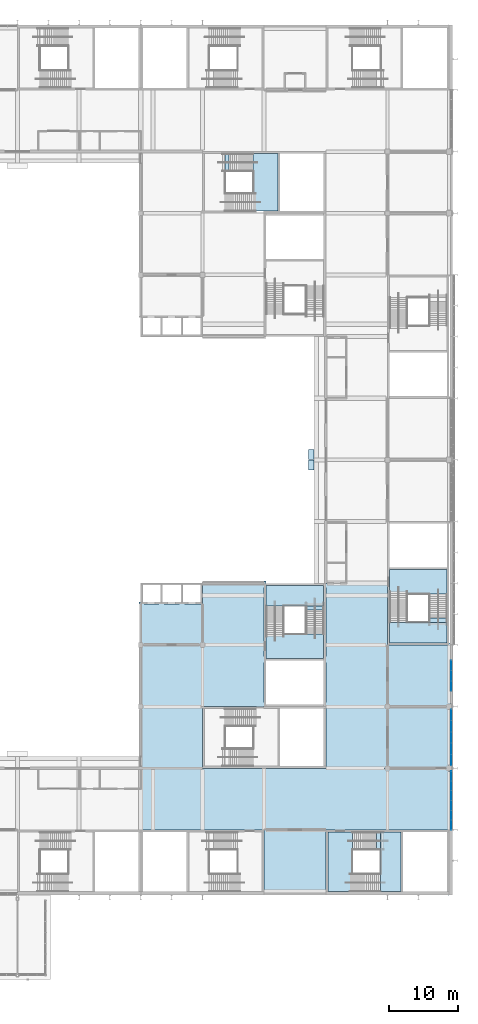
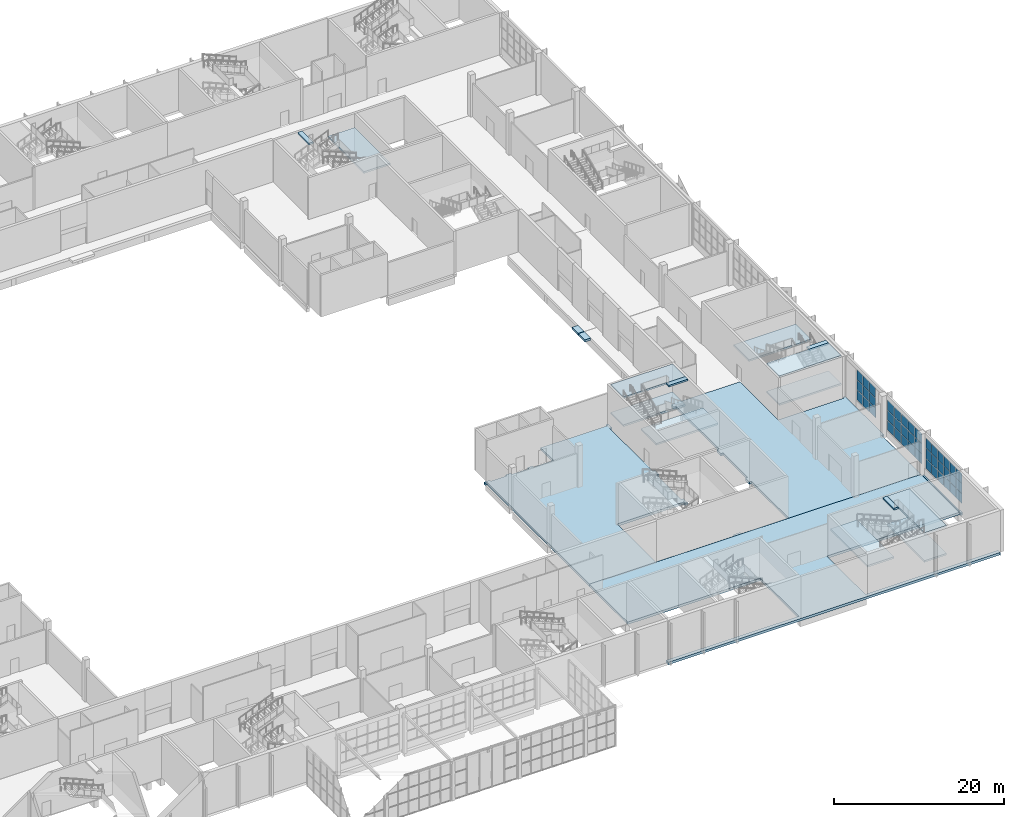
# One storey, part 34 of 89: 42 plates, 18 slabs, 7 elements without a shape of their own.
"""IFC4 building model written with IfcOpenShell, lengths in metres."""

from ifc_helpers import new_model, si_unit, direction, frame, origin, origin_2d, place, context, subcontext, project, spatial, polyline, rectangle, outline, extrude, material, layer, layer_set, type_object, element, aggregate, save


model = new_model("IFC4")

# Units and contexts
model_context = context("Model", 3, precision=1e-05, world=origin(), true_north=direction((0.0, 1.0)))
body_context = subcontext(model_context, "Body", "Model", "MODEL_VIEW")
ifc_project = project(units=[si_unit("LENGTHUNIT", "METRE"), si_unit("AREAUNIT", "SQUARE_METRE"), si_unit("VOLUMEUNIT", "CUBIC_METRE"), si_unit("PLANEANGLEUNIT", "RADIAN"), si_unit("MASSUNIT", "GRAM", prefix="KILO")], contexts=[model_context])

# Site, building, storey
site_placement = place(None, origin())
site = spatial("IfcSite", under=ifc_project, at=site_placement, CompositionType="ELEMENT")
building_placement = place(site_placement, origin())
building = spatial("IfcBuilding", under=site, at=building_placement, Name="Silverbay Arena", CompositionType="ELEMENT")
storey_placement = place(building_placement, frame((0.0, 0.0, 22.0)))
storey = spatial("IfcBuildingStorey", under=building, at=storey_placement, Name="L03", CompositionType="ELEMENT", Elevation=22.0)

# Curtain wall, plates
ifc_material_1 = material(Name="Aluminium framed curtain wall", Category="aluminium")
curtain_wall_type_1 = type_object("IfcCurtainWallType", Name="Curtain wall 8600 x 4400", PredefinedType="NOTDEFINED", material=ifc_material_1)
curtain_wall_1_placement = place(storey_placement, origin())
curtain_wall_1 = element("IfcCurtainWall", 1, at=curtain_wall_1_placement, inside=storey, type_object=curtain_wall_type_1, Name="East curtain wall L03 bay 2", PredefinedType="NOTDEFINED")
ifc_material_2 = material(Name="Laminated glass", Category="glass")
ifc_layer_1 = layer(ifc_material_2, 0.028076171875)
ifc_layer_set_1 = layer_set([ifc_layer_1], Name="Laminated glass")
plate_type = type_object("IfcPlateType", Name="Glass panel 28", PredefinedType="CURTAIN_PANEL", material=ifc_layer_set_1)
plate_1_placement = place(storey_placement, frame((207.330078125, 27.731689453125, 1.050048828125), z_axis=(0.0, 0.0, 1.0), x_axis=(0.0, 1.0, 0.0)))
plate_1 = element("IfcPlate", 2, at=plate_1_placement, type_object=plate_type, Name="CW12 panel 1.1", PredefinedType="CURTAIN_PANEL", context=body_context, shape_type="SweptSolid", body=[
    extrude(rectangle(XDim=1.34326171875, YDim=0.028076171875, at=origin_2d()), origin(), (0.0, 0.0, 1.0), 1.3916015625),
])
plate_2_placement = place(storey_placement, frame((207.330078125, 27.731689453125, 2.49169921875), z_axis=(0.0, 0.0, 1.0), x_axis=(0.0, 1.0, 0.0)))
plate_2 = element("IfcPlate", 3, at=plate_2_placement, type_object=plate_type, Name="CW12 panel 1.2", PredefinedType="CURTAIN_PANEL", context=body_context, shape_type="SweptSolid", body=[
    extrude(rectangle(XDim=1.34326171875, YDim=0.028076171875, at=origin_2d()), origin(), (0.0, 0.0, 1.0), 1.416748046875),
])
plate_3_placement = place(storey_placement, frame((207.330078125, 27.731689453125, 3.958251953125), z_axis=(0.0, 0.0, 1.0), x_axis=(0.0, 1.0, 0.0)))
plate_3 = element("IfcPlate", 4, at=plate_3_placement, type_object=plate_type, Name="CW12 panel 1.3", PredefinedType="CURTAIN_PANEL", context=body_context, shape_type="SweptSolid", body=[
    extrude(rectangle(XDim=1.34326171875, YDim=0.028076171875, at=origin_2d()), origin(), (0.0, 0.0, 1.0), 1.3916015625),
])
plate_4_placement = place(storey_placement, frame((207.330078125, 29.14990234375, 1.050048828125), z_axis=(0.0, 0.0, 1.0), x_axis=(0.0, 1.0, 0.0)))
plate_4 = element("IfcPlate", 5, at=plate_4_placement, type_object=plate_type, Name="CW12 panel 2.1", PredefinedType="CURTAIN_PANEL", context=body_context, shape_type="SweptSolid", body=[
    extrude(rectangle(XDim=1.373291015625, YDim=0.028076171875, at=origin_2d()), origin(), (0.0, 0.0, 1.0), 1.3916015625),
])
plate_5_placement = place(storey_placement, frame((207.330078125, 29.14990234375, 2.49169921875), z_axis=(0.0, 0.0, 1.0), x_axis=(0.0, 1.0, 0.0)))
plate_5 = element("IfcPlate", 6, at=plate_5_placement, type_object=plate_type, Name="CW12 panel 2.2", PredefinedType="CURTAIN_PANEL", context=body_context, shape_type="SweptSolid", body=[
    extrude(rectangle(XDim=1.373291015625, YDim=0.028076171875, at=origin_2d()), origin(), (0.0, 0.0, 1.0), 1.416748046875),
])
plate_6_placement = place(storey_placement, frame((207.330078125, 29.14990234375, 3.958251953125), z_axis=(0.0, 0.0, 1.0), x_axis=(0.0, 1.0, 0.0)))
plate_6 = element("IfcPlate", 7, at=plate_6_placement, type_object=plate_type, Name="CW12 panel 2.3", PredefinedType="CURTAIN_PANEL", context=body_context, shape_type="SweptSolid", body=[
    extrude(rectangle(XDim=1.373291015625, YDim=0.028076171875, at=origin_2d()), origin(), (0.0, 0.0, 1.0), 1.3916015625),
])
plate_7_placement = place(storey_placement, frame((207.330078125, 30.583251953125, 1.050048828125), z_axis=(0.0, 0.0, 1.0), x_axis=(0.0, 1.0, 0.0)))
plate_7 = element("IfcPlate", 8, at=plate_7_placement, type_object=plate_type, Name="CW12 panel 3.1", PredefinedType="CURTAIN_PANEL", context=body_context, shape_type="SweptSolid", body=[
    extrude(rectangle(XDim=1.373291015625, YDim=0.028076171875, at=origin_2d()), origin(), (0.0, 0.0, 1.0), 1.3916015625),
])
plate_8_placement = place(storey_placement, frame((207.330078125, 30.583251953125, 2.49169921875), z_axis=(0.0, 0.0, 1.0), x_axis=(0.0, 1.0, 0.0)))
plate_8 = element("IfcPlate", 9, at=plate_8_placement, type_object=plate_type, Name="CW12 panel 3.2", PredefinedType="CURTAIN_PANEL", context=body_context, shape_type="SweptSolid", body=[
    extrude(rectangle(XDim=1.373291015625, YDim=0.028076171875, at=origin_2d()), origin(), (0.0, 0.0, 1.0), 1.416748046875),
])
plate_9_placement = place(storey_placement, frame((207.330078125, 30.583251953125, 3.958251953125), z_axis=(0.0, 0.0, 1.0), x_axis=(0.0, 1.0, 0.0)))
plate_9 = element("IfcPlate", 10, at=plate_9_placement, type_object=plate_type, Name="CW12 panel 3.3", PredefinedType="CURTAIN_PANEL", context=body_context, shape_type="SweptSolid", body=[
    extrude(rectangle(XDim=1.373291015625, YDim=0.028076171875, at=origin_2d()), origin(), (0.0, 0.0, 1.0), 1.3916015625),
])
plate_10_placement = place(storey_placement, frame((207.330078125, 32.0166015625, 1.050048828125), z_axis=(0.0, 0.0, 1.0), x_axis=(0.0, 1.0, 0.0)))
plate_10 = element("IfcPlate", 11, at=plate_10_placement, type_object=plate_type, Name="CW12 panel 4.1", PredefinedType="CURTAIN_PANEL", context=body_context, shape_type="SweptSolid", body=[
    extrude(rectangle(XDim=1.373291015625, YDim=0.028076171875, at=origin_2d()), origin(), (0.0, 0.0, 1.0), 1.3916015625),
])
plate_11_placement = place(storey_placement, frame((207.330078125, 32.0166015625, 2.49169921875), z_axis=(0.0, 0.0, 1.0), x_axis=(0.0, 1.0, 0.0)))
plate_11 = element("IfcPlate", 12, at=plate_11_placement, type_object=plate_type, Name="CW12 panel 4.2", PredefinedType="CURTAIN_PANEL", context=body_context, shape_type="SweptSolid", body=[
    extrude(rectangle(XDim=1.373291015625, YDim=0.028076171875, at=origin_2d()), origin(), (0.0, 0.0, 1.0), 1.416748046875),
])
plate_12_placement = place(storey_placement, frame((207.330078125, 32.0166015625, 3.958251953125), z_axis=(0.0, 0.0, 1.0), x_axis=(0.0, 1.0, 0.0)))
plate_12 = element("IfcPlate", 13, at=plate_12_placement, type_object=plate_type, Name="CW12 panel 4.3", PredefinedType="CURTAIN_PANEL", context=body_context, shape_type="SweptSolid", body=[
    extrude(rectangle(XDim=1.373291015625, YDim=0.028076171875, at=origin_2d()), origin(), (0.0, 0.0, 1.0), 1.3916015625),
])
plate_13_placement = place(storey_placement, frame((207.330078125, 33.449951171875, 1.050048828125), z_axis=(0.0, 0.0, 1.0), x_axis=(0.0, 1.0, 0.0)))
plate_13 = element("IfcPlate", 14, at=plate_13_placement, type_object=plate_type, Name="CW12 panel 5.1", PredefinedType="CURTAIN_PANEL", context=body_context, shape_type="SweptSolid", body=[
    extrude(rectangle(XDim=1.373291015625, YDim=0.028076171875, at=origin_2d()), origin(), (0.0, 0.0, 1.0), 1.3916015625),
])
plate_14_placement = place(storey_placement, frame((207.330078125, 33.449951171875, 2.49169921875), z_axis=(0.0, 0.0, 1.0), x_axis=(0.0, 1.0, 0.0)))
plate_14 = element("IfcPlate", 15, at=plate_14_placement, type_object=plate_type, Name="CW12 panel 5.2", PredefinedType="CURTAIN_PANEL", context=body_context, shape_type="SweptSolid", body=[
    extrude(rectangle(XDim=1.373291015625, YDim=0.028076171875, at=origin_2d()), origin(), (0.0, 0.0, 1.0), 1.416748046875),
])
plate_15_placement = place(storey_placement, frame((207.330078125, 33.449951171875, 3.958251953125), z_axis=(0.0, 0.0, 1.0), x_axis=(0.0, 1.0, 0.0)))
plate_15 = element("IfcPlate", 16, at=plate_15_placement, type_object=plate_type, Name="CW12 panel 5.3", PredefinedType="CURTAIN_PANEL", context=body_context, shape_type="SweptSolid", body=[
    extrude(rectangle(XDim=1.373291015625, YDim=0.028076171875, at=origin_2d()), origin(), (0.0, 0.0, 1.0), 1.3916015625),
])
plate_16_placement = place(storey_placement, frame((207.330078125, 34.868408203125, 1.050048828125), z_axis=(0.0, 0.0, 1.0), x_axis=(0.0, 1.0, 0.0)))
plate_16 = element("IfcPlate", 17, at=plate_16_placement, type_object=plate_type, Name="CW12 panel 6.1", PredefinedType="CURTAIN_PANEL", context=body_context, shape_type="SweptSolid", body=[
    extrude(rectangle(XDim=1.34326171875, YDim=0.028076171875, at=origin_2d()), origin(), (0.0, 0.0, 1.0), 1.3916015625),
])
plate_17_placement = place(storey_placement, frame((207.330078125, 34.868408203125, 2.49169921875), z_axis=(0.0, 0.0, 1.0), x_axis=(0.0, 1.0, 0.0)))
plate_17 = element("IfcPlate", 18, at=plate_17_placement, type_object=plate_type, Name="CW12 panel 6.2", PredefinedType="CURTAIN_PANEL", context=body_context, shape_type="SweptSolid", body=[
    extrude(rectangle(XDim=1.34326171875, YDim=0.028076171875, at=origin_2d()), origin(), (0.0, 0.0, 1.0), 1.416748046875),
])
plate_18_placement = place(storey_placement, frame((207.330078125, 34.868408203125, 3.958251953125), z_axis=(0.0, 0.0, 1.0), x_axis=(0.0, 1.0, 0.0)))
plate_18 = element("IfcPlate", 19, at=plate_18_placement, type_object=plate_type, Name="CW12 panel 6.3", PredefinedType="CURTAIN_PANEL", context=body_context, shape_type="SweptSolid", body=[
    extrude(rectangle(XDim=1.34326171875, YDim=0.028076171875, at=origin_2d()), origin(), (0.0, 0.0, 1.0), 1.3916015625),
])
aggregate(curtain_wall_1, [plate_1, plate_2, plate_3, plate_4, plate_5, plate_6, plate_7, plate_8, plate_9, plate_10, plate_11, plate_12, plate_13, plate_14, plate_15, plate_16, plate_17, plate_18])

ifc_material_3 = material(Name="Aluminium framed curtain wall", Category="aluminium")
curtain_wall_type_2 = type_object("IfcCurtainWallType", Name="Curtain wall 8200 x 4400", PredefinedType="NOTDEFINED", material=ifc_material_3)
curtain_wall_2_placement = place(storey_placement, origin())
curtain_wall_2 = element("IfcCurtainWall", 20, at=curtain_wall_2_placement, inside=storey, type_object=curtain_wall_type_2, Name="East curtain wall L03 bay 3", PredefinedType="NOTDEFINED")
plate_19_placement = place(storey_placement, frame((207.330078125, 37.235107421875, 1.050048828125), z_axis=(0.0, 0.0, 1.0), x_axis=(0.0, 1.0, 0.0)))
plate_19 = element("IfcPlate", 21, at=plate_19_placement, type_object=plate_type, Name="CW13 panel 1.1", PredefinedType="CURTAIN_PANEL", context=body_context, shape_type="SweptSolid", body=[
    extrude(rectangle(XDim=1.550048828125, YDim=0.028076171875, at=origin_2d()), origin(), (0.0, 0.0, 1.0), 1.3916015625),
])
plate_20_placement = place(storey_placement, frame((207.330078125, 37.235107421875, 2.49169921875), z_axis=(0.0, 0.0, 1.0), x_axis=(0.0, 1.0, 0.0)))
plate_20 = element("IfcPlate", 22, at=plate_20_placement, type_object=plate_type, Name="CW13 panel 1.2", PredefinedType="CURTAIN_PANEL", context=body_context, shape_type="SweptSolid", body=[
    extrude(rectangle(XDim=1.550048828125, YDim=0.028076171875, at=origin_2d()), origin(), (0.0, 0.0, 1.0), 1.416748046875),
])
plate_21_placement = place(storey_placement, frame((207.330078125, 37.235107421875, 3.958251953125), z_axis=(0.0, 0.0, 1.0), x_axis=(0.0, 1.0, 0.0)))
plate_21 = element("IfcPlate", 23, at=plate_21_placement, type_object=plate_type, Name="CW13 panel 1.3", PredefinedType="CURTAIN_PANEL", context=body_context, shape_type="SweptSolid", body=[
    extrude(rectangle(XDim=1.550048828125, YDim=0.028076171875, at=origin_2d()), origin(), (0.0, 0.0, 1.0), 1.3916015625),
])
plate_22_placement = place(storey_placement, frame((207.330078125, 38.860107421875, 1.050048828125), z_axis=(0.0, 0.0, 1.0), x_axis=(0.0, 1.0, 0.0)))
plate_22 = element("IfcPlate", 24, at=plate_22_placement, type_object=plate_type, Name="CW13 panel 2.1", PredefinedType="CURTAIN_PANEL", context=body_context, shape_type="SweptSolid", body=[
    extrude(rectangle(XDim=1.580078125, YDim=0.028076171875, at=origin_2d()), origin(), (0.0, 0.0, 1.0), 1.3916015625),
])
plate_23_placement = place(storey_placement, frame((207.330078125, 38.860107421875, 2.49169921875), z_axis=(0.0, 0.0, 1.0), x_axis=(0.0, 1.0, 0.0)))
plate_23 = element("IfcPlate", 25, at=plate_23_placement, type_object=plate_type, Name="CW13 panel 2.2", PredefinedType="CURTAIN_PANEL", context=body_context, shape_type="SweptSolid", body=[
    extrude(rectangle(XDim=1.580078125, YDim=0.028076171875, at=origin_2d()), origin(), (0.0, 0.0, 1.0), 1.416748046875),
])
plate_24_placement = place(storey_placement, frame((207.330078125, 38.860107421875, 3.958251953125), z_axis=(0.0, 0.0, 1.0), x_axis=(0.0, 1.0, 0.0)))
plate_24 = element("IfcPlate", 26, at=plate_24_placement, type_object=plate_type, Name="CW13 panel 2.3", PredefinedType="CURTAIN_PANEL", context=body_context, shape_type="SweptSolid", body=[
    extrude(rectangle(XDim=1.580078125, YDim=0.028076171875, at=origin_2d()), origin(), (0.0, 0.0, 1.0), 1.3916015625),
])
plate_25_placement = place(storey_placement, frame((207.330078125, 40.5, 1.050048828125), z_axis=(0.0, 0.0, 1.0), x_axis=(0.0, 1.0, 0.0)))
plate_25 = element("IfcPlate", 27, at=plate_25_placement, type_object=plate_type, Name="CW13 panel 3.1", PredefinedType="CURTAIN_PANEL", context=body_context, shape_type="SweptSolid", body=[
    extrude(rectangle(XDim=1.580078125, YDim=0.028076171875, at=origin_2d()), origin(), (0.0, 0.0, 1.0), 1.3916015625),
])
plate_26_placement = place(storey_placement, frame((207.330078125, 40.5, 2.49169921875), z_axis=(0.0, 0.0, 1.0), x_axis=(0.0, 1.0, 0.0)))
plate_26 = element("IfcPlate", 28, at=plate_26_placement, type_object=plate_type, Name="CW13 panel 3.2", PredefinedType="CURTAIN_PANEL", context=body_context, shape_type="SweptSolid", body=[
    extrude(rectangle(XDim=1.580078125, YDim=0.028076171875, at=origin_2d()), origin(), (0.0, 0.0, 1.0), 1.416748046875),
])
plate_27_placement = place(storey_placement, frame((207.330078125, 40.5, 3.958251953125), z_axis=(0.0, 0.0, 1.0), x_axis=(0.0, 1.0, 0.0)))
plate_27 = element("IfcPlate", 29, at=plate_27_placement, type_object=plate_type, Name="CW13 panel 3.3", PredefinedType="CURTAIN_PANEL", context=body_context, shape_type="SweptSolid", body=[
    extrude(rectangle(XDim=1.580078125, YDim=0.028076171875, at=origin_2d()), origin(), (0.0, 0.0, 1.0), 1.3916015625),
])
plate_28_placement = place(storey_placement, frame((207.330078125, 42.139892578125, 1.050048828125), z_axis=(0.0, 0.0, 1.0), x_axis=(0.0, 1.0, 0.0)))
plate_28 = element("IfcPlate", 30, at=plate_28_placement, type_object=plate_type, Name="CW13 panel 4.1", PredefinedType="CURTAIN_PANEL", context=body_context, shape_type="SweptSolid", body=[
    extrude(rectangle(XDim=1.580078125, YDim=0.028076171875, at=origin_2d()), origin(), (0.0, 0.0, 1.0), 1.3916015625),
])
plate_29_placement = place(storey_placement, frame((207.330078125, 42.139892578125, 2.49169921875), z_axis=(0.0, 0.0, 1.0), x_axis=(0.0, 1.0, 0.0)))
plate_29 = element("IfcPlate", 31, at=plate_29_placement, type_object=plate_type, Name="CW13 panel 4.2", PredefinedType="CURTAIN_PANEL", context=body_context, shape_type="SweptSolid", body=[
    extrude(rectangle(XDim=1.580078125, YDim=0.028076171875, at=origin_2d()), origin(), (0.0, 0.0, 1.0), 1.416748046875),
])
plate_30_placement = place(storey_placement, frame((207.330078125, 42.139892578125, 3.958251953125), z_axis=(0.0, 0.0, 1.0), x_axis=(0.0, 1.0, 0.0)))
plate_30 = element("IfcPlate", 32, at=plate_30_placement, type_object=plate_type, Name="CW13 panel 4.3", PredefinedType="CURTAIN_PANEL", context=body_context, shape_type="SweptSolid", body=[
    extrude(rectangle(XDim=1.580078125, YDim=0.028076171875, at=origin_2d()), origin(), (0.0, 0.0, 1.0), 1.3916015625),
])
plate_31_placement = place(storey_placement, frame((207.330078125, 43.764892578125, 1.050048828125), z_axis=(0.0, 0.0, 1.0), x_axis=(0.0, 1.0, 0.0)))
plate_31 = element("IfcPlate", 33, at=plate_31_placement, type_object=plate_type, Name="CW13 panel 5.1", PredefinedType="CURTAIN_PANEL", context=body_context, shape_type="SweptSolid", body=[
    extrude(rectangle(XDim=1.550048828125, YDim=0.028076171875, at=origin_2d()), origin(), (0.0, 0.0, 1.0), 1.3916015625),
])
plate_32_placement = place(storey_placement, frame((207.330078125, 43.764892578125, 2.49169921875), z_axis=(0.0, 0.0, 1.0), x_axis=(0.0, 1.0, 0.0)))
plate_32 = element("IfcPlate", 34, at=plate_32_placement, type_object=plate_type, Name="CW13 panel 5.2", PredefinedType="CURTAIN_PANEL", context=body_context, shape_type="SweptSolid", body=[
    extrude(rectangle(XDim=1.550048828125, YDim=0.028076171875, at=origin_2d()), origin(), (0.0, 0.0, 1.0), 1.416748046875),
])
plate_33_placement = place(storey_placement, frame((207.330078125, 43.764892578125, 3.958251953125), z_axis=(0.0, 0.0, 1.0), x_axis=(0.0, 1.0, 0.0)))
plate_33 = element("IfcPlate", 35, at=plate_33_placement, type_object=plate_type, Name="CW13 panel 5.3", PredefinedType="CURTAIN_PANEL", context=body_context, shape_type="SweptSolid", body=[
    extrude(rectangle(XDim=1.550048828125, YDim=0.028076171875, at=origin_2d()), origin(), (0.0, 0.0, 1.0), 1.3916015625),
])
aggregate(curtain_wall_2, [plate_19, plate_20, plate_21, plate_22, plate_23, plate_24, plate_25, plate_26, plate_27, plate_28, plate_29, plate_30, plate_31, plate_32, plate_33])

ifc_material_4 = material(Name="Aluminium framed curtain wall", Category="aluminium")
curtain_wall_type_3 = type_object("IfcCurtainWallType", Name="Curtain wall 4500 x 4400", PredefinedType="NOTDEFINED", material=ifc_material_4)
curtain_wall_3_placement = place(storey_placement, origin())
curtain_wall_3 = element("IfcCurtainWall", 36, at=curtain_wall_3_placement, inside=storey, type_object=curtain_wall_type_3, Name="East curtain wall L03 bay 4", PredefinedType="NOTDEFINED")
plate_34_placement = place(storey_placement, frame((207.330078125, 48.014892578125, 1.050048828125), z_axis=(0.0, 0.0, 1.0), x_axis=(0.0, 1.0, 0.0)))
plate_34 = element("IfcPlate", 37, at=plate_34_placement, type_object=plate_type, Name="CW14 panel 1.1", PredefinedType="CURTAIN_PANEL", context=body_context, shape_type="SweptSolid", body=[
    extrude(rectangle(XDim=1.409912109375, YDim=0.028076171875, at=origin_2d()), origin(), (0.0, 0.0, 1.0), 1.3916015625),
])
plate_35_placement = place(storey_placement, frame((207.330078125, 48.014892578125, 2.49169921875), z_axis=(0.0, 0.0, 1.0), x_axis=(0.0, 1.0, 0.0)))
plate_35 = element("IfcPlate", 38, at=plate_35_placement, type_object=plate_type, Name="CW14 panel 1.2", PredefinedType="CURTAIN_PANEL", context=body_context, shape_type="SweptSolid", body=[
    extrude(rectangle(XDim=1.409912109375, YDim=0.028076171875, at=origin_2d()), origin(), (0.0, 0.0, 1.0), 1.416748046875),
])
plate_36_placement = place(storey_placement, frame((207.330078125, 48.014892578125, 3.958251953125), z_axis=(0.0, 0.0, 1.0), x_axis=(0.0, 1.0, 0.0)))
plate_36 = element("IfcPlate", 39, at=plate_36_placement, type_object=plate_type, Name="CW14 panel 1.3", PredefinedType="CURTAIN_PANEL", context=body_context, shape_type="SweptSolid", body=[
    extrude(rectangle(XDim=1.409912109375, YDim=0.028076171875, at=origin_2d()), origin(), (0.0, 0.0, 1.0), 1.3916015625),
])
plate_37_placement = place(storey_placement, frame((207.330078125, 49.5, 1.050048828125), z_axis=(0.0, 0.0, 1.0), x_axis=(0.0, 1.0, 0.0)))
plate_37 = element("IfcPlate", 40, at=plate_37_placement, type_object=plate_type, Name="CW14 panel 2.1", PredefinedType="CURTAIN_PANEL", context=body_context, shape_type="SweptSolid", body=[
    extrude(rectangle(XDim=1.43994140625, YDim=0.028076171875, at=origin_2d()), origin(), (0.0, 0.0, 1.0), 1.3916015625),
])
plate_38_placement = place(storey_placement, frame((207.330078125, 49.5, 2.49169921875), z_axis=(0.0, 0.0, 1.0), x_axis=(0.0, 1.0, 0.0)))
plate_38 = element("IfcPlate", 41, at=plate_38_placement, type_object=plate_type, Name="CW14 panel 2.2", PredefinedType="CURTAIN_PANEL", context=body_context, shape_type="SweptSolid", body=[
    extrude(rectangle(XDim=1.43994140625, YDim=0.028076171875, at=origin_2d()), origin(), (0.0, 0.0, 1.0), 1.416748046875),
])
plate_39_placement = place(storey_placement, frame((207.330078125, 49.5, 3.958251953125), z_axis=(0.0, 0.0, 1.0), x_axis=(0.0, 1.0, 0.0)))
plate_39 = element("IfcPlate", 42, at=plate_39_placement, type_object=plate_type, Name="CW14 panel 2.3", PredefinedType="CURTAIN_PANEL", context=body_context, shape_type="SweptSolid", body=[
    extrude(rectangle(XDim=1.43994140625, YDim=0.028076171875, at=origin_2d()), origin(), (0.0, 0.0, 1.0), 1.3916015625),
])
plate_40_placement = place(storey_placement, frame((207.330078125, 50.985107421875, 1.050048828125), z_axis=(0.0, 0.0, 1.0), x_axis=(0.0, 1.0, 0.0)))
plate_40 = element("IfcPlate", 43, at=plate_40_placement, type_object=plate_type, Name="CW14 panel 3.1", PredefinedType="CURTAIN_PANEL", context=body_context, shape_type="SweptSolid", body=[
    extrude(rectangle(XDim=1.409912109375, YDim=0.028076171875, at=origin_2d()), origin(), (0.0, 0.0, 1.0), 1.3916015625),
])
plate_41_placement = place(storey_placement, frame((207.330078125, 50.985107421875, 2.49169921875), z_axis=(0.0, 0.0, 1.0), x_axis=(0.0, 1.0, 0.0)))
plate_41 = element("IfcPlate", 44, at=plate_41_placement, type_object=plate_type, Name="CW14 panel 3.2", PredefinedType="CURTAIN_PANEL", context=body_context, shape_type="SweptSolid", body=[
    extrude(rectangle(XDim=1.409912109375, YDim=0.028076171875, at=origin_2d()), origin(), (0.0, 0.0, 1.0), 1.416748046875),
])
plate_42_placement = place(storey_placement, frame((207.330078125, 50.985107421875, 3.958251953125), z_axis=(0.0, 0.0, 1.0), x_axis=(0.0, 1.0, 0.0)))
plate_42 = element("IfcPlate", 45, at=plate_42_placement, type_object=plate_type, Name="CW14 panel 3.3", PredefinedType="CURTAIN_PANEL", context=body_context, shape_type="SweptSolid", body=[
    extrude(rectangle(XDim=1.409912109375, YDim=0.028076171875, at=origin_2d()), origin(), (0.0, 0.0, 1.0), 1.3916015625),
])
aggregate(curtain_wall_3, [plate_34, plate_35, plate_36, plate_37, plate_38, plate_39, plate_40, plate_41, plate_42])

# Slabs
ifc_material_5 = material(Name="Concrete Grade C45", Category="concrete")
ifc_layer_2 = layer(ifc_material_5, 0.35009765625)
ifc_layer_set_2 = layer_set([ifc_layer_2], Name="Concrete Grade C45")
slab_type_1 = type_object("IfcSlabType", Name="RC floor slab 350", PredefinedType="FLOOR", material=ifc_layer_set_2)
slab_1_placement = place(storey_placement, frame((0.0, 0.0, -0.35009765625)))
element("IfcSlab", 46, at=slab_1_placement, inside=storey, type_object=slab_type_1, Name="Floor slab L03 unit 3", PredefinedType="FLOOR", context=body_context, shape_type="SweptSolid", body=[
    extrude(outline(polyline([(207.0, 17.425048828125), (206.925048828125, 17.425048828125), (206.925048828125, 17.5), (162.0, 17.5), (162.0, 18.0), (180.0, 18.0), (180.0, 27.0), (162.0, 27.0), (162.0, 35.97509765625), (206.925048828125, 35.97509765625), (206.925048828125, 27.074951171875), (207.0, 27.074951171875), (207.0, 35.800048828125), (207.175048828125, 35.800048828125), (207.175048828125, 27.324951171875), (207.25, 27.324951171875), (207.25, 27.0), (207.2451171875, 26.75), (207.0, 26.75), (207.0, 26.925048828125), (206.925048828125, 26.925048828125), (206.925048828125, 27.0), (189.0, 27.0), (189.0, 18.0), (206.925048828125, 18.0), (206.925048828125, 18.074951171875), (207.0, 18.074951171875), (207.0, 17.425048828125)])), origin(), (0.0, 0.0, 1.0), 0.35009765625),
])
slab_2_placement = place(storey_placement, frame((0.0, 0.0, -0.35009765625)))
element("IfcSlab", 47, at=slab_2_placement, inside=storey, type_object=slab_type_1, Name="Floor slab L03 unit 6", PredefinedType="FLOOR", context=body_context, shape_type="SweptSolid", body=[
    extrude(outline(polyline([(181.699951171875, 36.300048828125), (182.60009765625, 36.300048828125), (182.60009765625, 36.0), (189.0, 36.0), (189.0, 44.699951171875), (188.699951171875, 44.699951171875), (188.699951171875, 45.60009765625), (189.0, 45.60009765625), (189.0, 51.39990234375), (188.699951171875, 51.39990234375), (188.699951171875, 52.300048828125), (189.0, 52.300048828125), (189.0, 62.39990234375), (188.699951171875, 62.39990234375), (188.699951171875, 63.0), (198.0, 63.0), (198.0, 54.0), (206.925048828125, 54.0), (206.925048828125, 54.27490234375), (207.199951171875, 54.27490234375), (207.199951171875, 45.175048828125), (206.925048828125, 45.175048828125), (206.925048828125, 35.97509765625), (162.0, 35.97509765625), (162.0, 60.0), (161.75, 60.0), (161.75, 60.25), (162.5, 60.25), (162.5, 60.0), (164.64990234375, 60.0), (164.64990234375, 60.25), (165.35009765625, 60.25), (165.35009765625, 60.0), (167.64990234375, 60.0), (167.64990234375, 60.25), (168.35009765625, 60.25), (168.35009765625, 60.0), (171.0, 60.0), (171.0, 63.0), (180.0, 63.0), (180.0, 63.300048828125), (180.300048828125, 63.300048828125), (180.300048828125, 62.39990234375), (180.0, 62.39990234375), (180.0, 52.300048828125), (180.300048828125, 52.300048828125), (180.300048828125, 51.39990234375), (180.0, 51.39990234375), (180.0, 45.60009765625), (180.300048828125, 45.60009765625), (180.300048828125, 44.699951171875), (180.0, 44.699951171875), (180.0, 45.0), (171.0, 45.0), (171.0, 36.0), (181.699951171875, 36.0), (181.699951171875, 36.300048828125)])), origin(), (0.0, 0.0, 1.0), 0.35009765625),
])

# Stair, slab
ifc_material_6 = material(Name="Concrete Grade C45", Category="concrete")
stair_type = type_object("IfcStairType", Name="Stair 2600 wide 48 risers 125.0 x 300", PredefinedType="HALF_TURN_STAIR", material=ifc_material_6)
stair_1_placement = place(storey_placement, origin())
stair_1 = element("IfcStair", 48, at=stair_1_placement, inside=storey, type_object=stair_type, Name="Stair ST-S6 L03 to L04", PredefinedType="HALF_TURN_STAIR")
ifc_material_7 = material(Name="Concrete Grade C45", Category="concrete")
ifc_layer_3 = layer(ifc_material_7, 0.25)
ifc_layer_set_3 = layer_set([ifc_layer_3], Name="Concrete Grade C45")
slab_type_2 = type_object("IfcSlabType", Name="Stair arrival platform RC 250", PredefinedType="FLOOR", material=ifc_layer_set_3)
slab_3_placement = place(storey_placement, frame((0.0, 0.0, 5.75)))
slab_3 = element("IfcSlab", 49, at=slab_3_placement, type_object=slab_type_2, Name="Stair ST-S6 L03 to L04 arrival platform 4", PredefinedType="FLOOR", context=body_context, shape_type="SweptSolid", body=[
    extrude(outline(polyline([(196.39990234375, 26.699951171875), (197.010009765625, 26.699951171875), (197.010009765625, 24.10009765625), (196.39990234375, 24.10009765625), (196.39990234375, 26.699951171875)])), origin(), (0.0, 0.0, 1.0), 0.25),
])

stair_2_placement = place(storey_placement, origin())
stair_2 = element("IfcStair", 50, at=stair_2_placement, inside=storey, type_object=stair_type, Name="Stair ST-E1 L03 to L04", PredefinedType="HALF_TURN_STAIR")
slab_4_placement = place(storey_placement, frame((0.0, 0.0, 5.75)))
slab_4 = element("IfcSlab", 51, at=slab_4_placement, type_object=slab_type_2, Name="Stair ST-E1 L03 to L04 arrival platform 4", PredefinedType="FLOOR", context=body_context, shape_type="SweptSolid", body=[
    extrude(outline(polyline([(204.10009765625, 57.89990234375), (204.10009765625, 57.2900390625), (206.699951171875, 57.2900390625), (206.699951171875, 57.89990234375), (204.10009765625, 57.89990234375)])), origin(), (0.0, 0.0, 1.0), 0.25),
])

stair_3_placement = place(storey_placement, origin())
stair_3 = element("IfcStair", 52, at=stair_3_placement, inside=storey, type_object=stair_type, Name="Stair ST-SE2 L03 to L04", PredefinedType="HALF_TURN_STAIR")
slab_5_placement = place(storey_placement, frame((0.0, 0.0, 5.75)))
slab_5 = element("IfcSlab", 53, at=slab_5_placement, type_object=slab_type_2, Name="Stair ST-SE2 L03 to L04 arrival platform 4", PredefinedType="FLOOR", context=body_context, shape_type="SweptSolid", body=[
    extrude(outline(polyline([(186.10009765625, 59.10009765625), (186.10009765625, 59.7099609375), (188.699951171875, 59.7099609375), (188.699951171875, 59.10009765625), (186.10009765625, 59.10009765625)])), origin(), (0.0, 0.0, 1.0), 0.25),
])

stair_4_placement = place(storey_placement, origin())
stair_4 = element("IfcStair", 54, at=stair_4_placement, inside=storey, type_object=stair_type, Name="Stair ST-NE1 L03 to L04", PredefinedType="HALF_TURN_STAIR")
slab_6_placement = place(storey_placement, frame((0.0, 0.0, 5.75)))
slab_6 = element("IfcSlab", 55, at=slab_6_placement, type_object=slab_type_2, Name="Stair ST-NE1 L03 to L04 arrival platform 4", PredefinedType="FLOOR", context=body_context, shape_type="SweptSolid", body=[
    extrude(outline(polyline([(174.89990234375, 123.10009765625), (174.2900390625, 123.10009765625), (174.2900390625, 125.699951171875), (174.89990234375, 125.699951171875), (174.89990234375, 123.10009765625)])), origin(), (0.0, 0.0, 1.0), 0.25),
])

# Slab
ifc_material_8 = material(Name="Concrete Grade C45", Category="concrete")
ifc_layer_4 = layer(ifc_material_8, 0.25)
ifc_layer_set_4 = layer_set([ifc_layer_4], Name="Concrete Grade C45")
slab_type_3 = type_object("IfcSlabType", Name="Stair landing RC 250", PredefinedType="LANDING", material=ifc_layer_set_4)
slab_7_placement = place(storey_placement, frame((0.0, 0.0, 1.75)))
slab_7 = element("IfcSlab", 56, at=slab_7_placement, type_object=slab_type_3, Name="Stair ST-S6 L03 to L04 landing 1", PredefinedType="LANDING", context=body_context, shape_type="SweptSolid", body=[
    extrude(outline(polyline([(197.010009765625, 26.699951171875), (200.0, 26.699951171875), (200.0, 18.0), (197.010009765625, 18.0), (197.010009765625, 26.699951171875)])), origin(), (0.0, 0.0, 1.0), 0.25),
])

slab_8_placement = place(storey_placement, frame((0.0, 0.0, 3.75)))
slab_8 = element("IfcSlab", 57, at=slab_8_placement, type_object=slab_type_3, Name="Stair ST-S6 L03 to L04 landing 2", PredefinedType="LANDING", context=body_context, shape_type="SweptSolid", body=[
    extrude(outline(polyline([(189.300048828125, 26.699951171875), (192.89990234375, 26.699951171875), (192.89990234375, 18.0), (189.300048828125, 18.0), (189.300048828125, 26.699951171875)])), origin(), (0.0, 0.0, 1.0), 0.25),
])

slab_9_placement = place(storey_placement, frame((0.0, 0.0, 5.75)))
slab_9 = element("IfcSlab", 58, at=slab_9_placement, type_object=slab_type_3, Name="Stair ST-S6 L03 to L04 landing 3", PredefinedType="LANDING", context=body_context, shape_type="SweptSolid", body=[
    extrude(outline(polyline([(197.010009765625, 26.699951171875), (200.0, 26.699951171875), (200.0, 18.0), (197.010009765625, 18.0), (197.010009765625, 26.699951171875)])), origin(), (0.0, 0.0, 1.0), 0.25),
])

aggregate(stair_1, [slab_7, slab_8, slab_9, slab_3])

slab_10_placement = place(storey_placement, frame((0.0, 0.0, 1.75)))
slab_10 = element("IfcSlab", 59, at=slab_10_placement, type_object=slab_type_3, Name="Stair ST-E1 L03 to L04 landing 1", PredefinedType="LANDING", context=body_context, shape_type="SweptSolid", body=[
    extrude(outline(polyline([(198.300048828125, 57.2900390625), (198.300048828125, 54.300048828125), (206.699951171875, 54.300048828125), (206.699951171875, 57.2900390625), (198.300048828125, 57.2900390625)])), origin(), (0.0, 0.0, 1.0), 0.25),
])

slab_11_placement = place(storey_placement, frame((0.0, 0.0, 3.75)))
slab_11 = element("IfcSlab", 60, at=slab_11_placement, type_object=slab_type_3, Name="Stair ST-E1 L03 to L04 landing 2", PredefinedType="LANDING", context=body_context, shape_type="SweptSolid", body=[
    extrude(outline(polyline([(198.300048828125, 65.0), (198.300048828125, 61.39990234375), (206.699951171875, 61.39990234375), (206.699951171875, 65.0), (198.300048828125, 65.0)])), origin(), (0.0, 0.0, 1.0), 0.25),
])

slab_12_placement = place(storey_placement, frame((0.0, 0.0, 5.75)))
slab_12 = element("IfcSlab", 61, at=slab_12_placement, type_object=slab_type_3, Name="Stair ST-E1 L03 to L04 landing 3", PredefinedType="LANDING", context=body_context, shape_type="SweptSolid", body=[
    extrude(outline(polyline([(198.300048828125, 57.2900390625), (198.300048828125, 54.300048828125), (206.699951171875, 54.300048828125), (206.699951171875, 57.2900390625), (198.300048828125, 57.2900390625)])), origin(), (0.0, 0.0, 1.0), 0.25),
])

aggregate(stair_2, [slab_10, slab_11, slab_12, slab_4])

slab_13_placement = place(storey_placement, frame((0.0, 0.0, 1.75)))
slab_13 = element("IfcSlab", 62, at=slab_13_placement, type_object=slab_type_3, Name="Stair ST-SE2 L03 to L04 landing 1", PredefinedType="LANDING", context=body_context, shape_type="SweptSolid", body=[
    extrude(outline(polyline([(180.300048828125, 59.7099609375), (180.300048828125, 62.699951171875), (188.699951171875, 62.699951171875), (188.699951171875, 59.7099609375), (180.300048828125, 59.7099609375)])), origin(), (0.0, 0.0, 1.0), 0.25),
])

slab_14_placement = place(storey_placement, frame((0.0, 0.0, 3.75)))
slab_14 = element("IfcSlab", 63, at=slab_14_placement, type_object=slab_type_3, Name="Stair ST-SE2 L03 to L04 landing 2", PredefinedType="LANDING", context=body_context, shape_type="SweptSolid", body=[
    extrude(outline(polyline([(180.300048828125, 52.0), (180.300048828125, 55.60009765625), (188.699951171875, 55.60009765625), (188.699951171875, 52.0), (180.300048828125, 52.0)])), origin(), (0.0, 0.0, 1.0), 0.25),
])

slab_15_placement = place(storey_placement, frame((0.0, 0.0, 5.75)))
slab_15 = element("IfcSlab", 64, at=slab_15_placement, type_object=slab_type_3, Name="Stair ST-SE2 L03 to L04 landing 3", PredefinedType="LANDING", context=body_context, shape_type="SweptSolid", body=[
    extrude(outline(polyline([(180.300048828125, 59.7099609375), (180.300048828125, 62.699951171875), (188.699951171875, 62.699951171875), (188.699951171875, 59.7099609375), (180.300048828125, 59.7099609375)])), origin(), (0.0, 0.0, 1.0), 0.25),
])

aggregate(stair_3, [slab_13, slab_14, slab_15, slab_5])

slab_16_placement = place(storey_placement, frame((0.0, 0.0, 3.75)))
slab_16 = element("IfcSlab", 65, at=slab_16_placement, type_object=slab_type_3, Name="Stair ST-NE1 L03 to L04 landing 2", PredefinedType="LANDING", context=body_context, shape_type="SweptSolid", body=[
    extrude(outline(polyline([(182.0, 117.300048828125), (178.39990234375, 117.300048828125), (178.39990234375, 125.699951171875), (182.0, 125.699951171875), (182.0, 117.300048828125)])), origin(), (0.0, 0.0, 1.0), 0.25),
])

aggregate(stair_4, [slab_16, slab_6])

# Slabs
ifc_material_9 = material(Name="Concrete Grade C45", Category="concrete")
ifc_layer_5 = layer(ifc_material_9, 0.300048828125)
ifc_layer_set_5 = layer_set([ifc_layer_5], Name="Concrete Grade C45")
slab_type_4 = type_object("IfcSlabType", Name="Vomitory head slab RC 300", PredefinedType="FLOOR", material=ifc_layer_set_5)
slab_17_placement = place(storey_placement, frame((0.0, 0.0, -0.300048828125)))
element("IfcSlab", 66, at=slab_17_placement, inside=storey, type_object=slab_type_4, Name="Vomitory head slab V12", PredefinedType="FLOOR", context=body_context, shape_type="SweptSolid", body=[
    extrude(outline(polyline([(186.5, 79.5), (187.300048828125, 79.5), (187.300048828125, 81.0), (186.5, 81.0), (186.5, 79.5)])), origin(), (0.0, 0.0, 1.0), 0.300048828125),
])
slab_18_placement = place(storey_placement, frame((0.0, 0.0, -0.300048828125)))
element("IfcSlab", 67, at=slab_18_placement, inside=storey, type_object=slab_type_4, Name="Vomitory head slab V12 B", PredefinedType="FLOOR", context=body_context, shape_type="SweptSolid", body=[
    extrude(outline(polyline([(186.5, 81.050048828125), (187.300048828125, 81.050048828125), (187.300048828125, 82.5), (186.5, 82.5), (186.5, 81.050048828125)])), origin(), (0.0, 0.0, 1.0), 0.300048828125),
])

save(model, "model.ifc")
